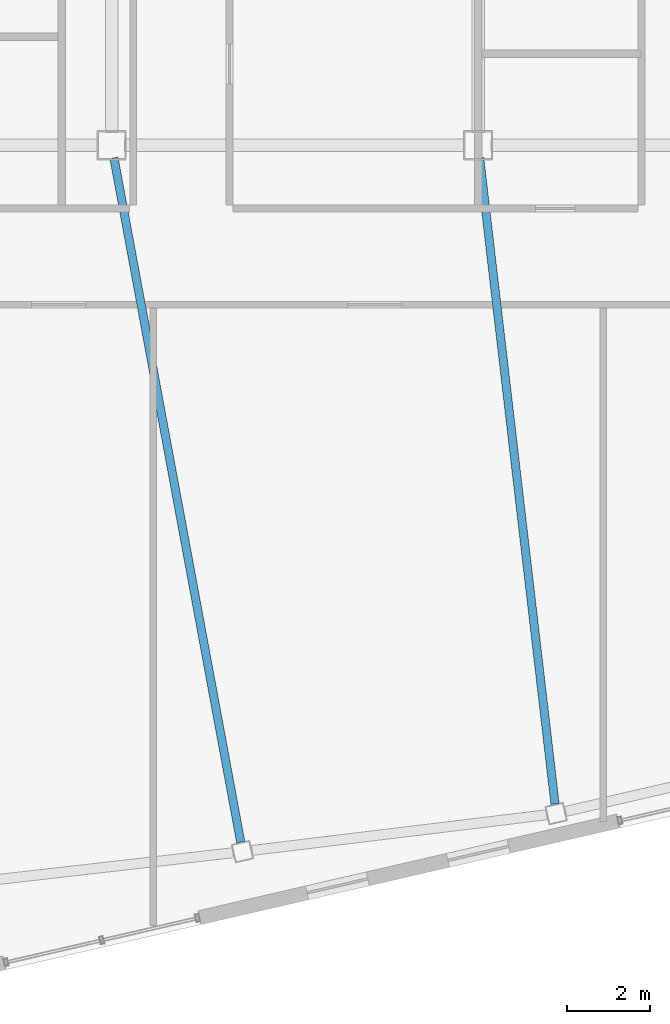
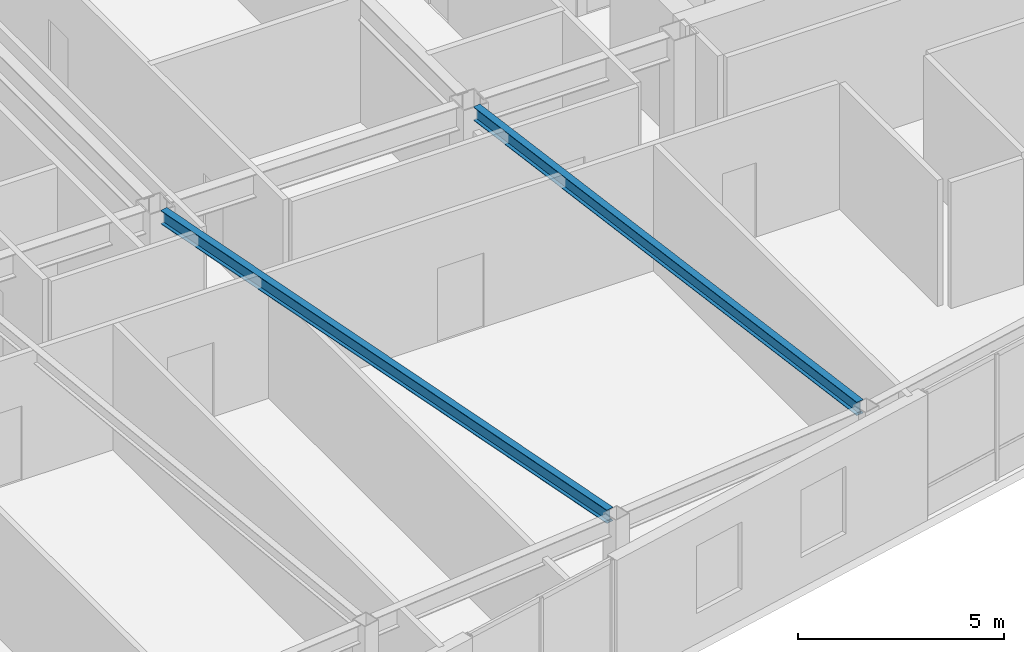
# One storey, part 9 of 23: 2 beams.
"""IFC4 building model written with IfcOpenShell, lengths in metres."""

from ifc_helpers import new_model, si_unit, direction, frame, origin, origin_2d, place, context, subcontext, project, spatial, i_section, extrude, material, material_profile, profile_set, type_object, element, save


model = new_model("IFC4")

# Units and contexts
model_context = context("Model", 3, precision=1e-05, world=origin(), true_north=direction((0.0, 1.0)))
body_context = subcontext(model_context, "Body", "Model", "MODEL_VIEW")
ifc_project = project(units=[si_unit("LENGTHUNIT", "METRE"), si_unit("AREAUNIT", "SQUARE_METRE"), si_unit("VOLUMEUNIT", "CUBIC_METRE"), si_unit("PLANEANGLEUNIT", "RADIAN"), si_unit("MASSUNIT", "GRAM", prefix="KILO")], contexts=[model_context])

# Site, building, storey
site_placement = place(None, origin())
site = spatial("IfcSite", under=ifc_project, at=site_placement, CompositionType="ELEMENT")
building_placement = place(site_placement, origin())
building = spatial("IfcBuilding", under=site, at=building_placement, Name="Tavrogorsk Clinical Tower", CompositionType="ELEMENT")
storey_placement = place(building_placement, frame((0.0, 0.0, 293.0)))
storey = spatial("IfcBuildingStorey", under=building, at=storey_placement, Name="L68", CompositionType="ELEMENT", Elevation=293.0)

# Beams
ifc_material = material(Name="Structural steel S355", Category="steel")
ifc_material_profile = material_profile(ifc_material, i_section(OverallWidth=0.199951171875, OverallDepth=0.39990234375, WebThickness=0.010498046875, FlangeThickness=0.01611328125, at=origin_2d()), Name="B-400x200x10.5x16")
ifc_profile_set = profile_set([ifc_material_profile], Name="Structural steel S355")
beam_type = type_object("IfcBeamType", Name="FloorBeam_B400", PredefinedType="BEAM", material=ifc_profile_set)
beam_1_placement = place(storey_placement, frame((-4.343505859375, -6.65478515625, 3.5400390625), z_axis=(0.182181887688, -0.98326484723, 0.0), x_axis=(0.98326484723, 0.182181887688, 0.0)))
element("IfcBeam", 1, at=beam_1_placement, inside=storey, type_object=beam_type, Name="L68 Radial Floor Beam S4", PredefinedType="BEAM", context=body_context, shape_type="SweptSolid", body=[
    extrude(i_section(OverallWidth=0.199951171875, OverallDepth=0.39990234375, WebThickness=0.010498046875, FlangeThickness=0.01611328125, at=origin_2d()), origin(), (0.0, 0.0, 1.0), 16.70556640625),
])
beam_2_placement = place(storey_placement, frame((4.43603515625, -6.657958984375, 3.5400390625), z_axis=(0.115903069025, -0.993260529061, 0.0), x_axis=(0.993260529061, 0.115903069025, 0.0)))
element("IfcBeam", 2, at=beam_2_placement, inside=storey, type_object=beam_type, Name="L68 Radial Floor Beam S5", PredefinedType="BEAM", context=body_context, shape_type="SweptSolid", body=[
    extrude(i_section(OverallWidth=0.199951171875, OverallDepth=0.39990234375, WebThickness=0.010498046875, FlangeThickness=0.01611328125, at=origin_2d()), origin(), (0.0, 0.0, 1.0), 15.61279296875),
])

save(model, "model.ifc")
